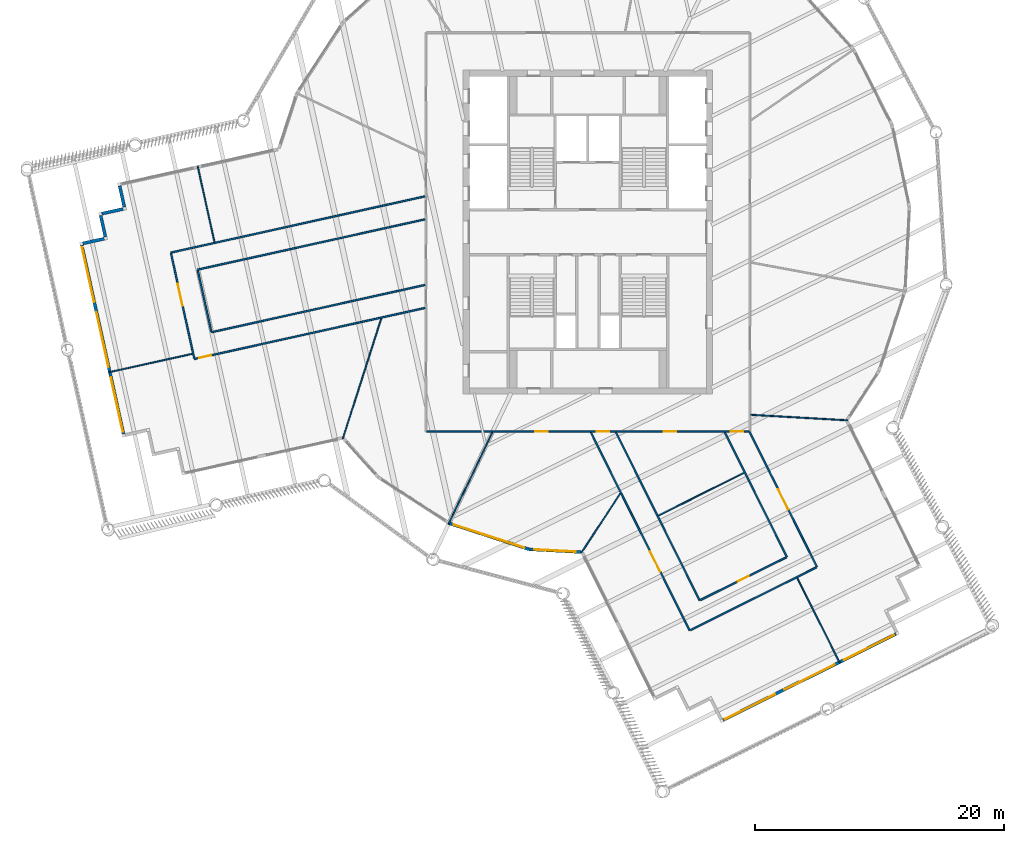
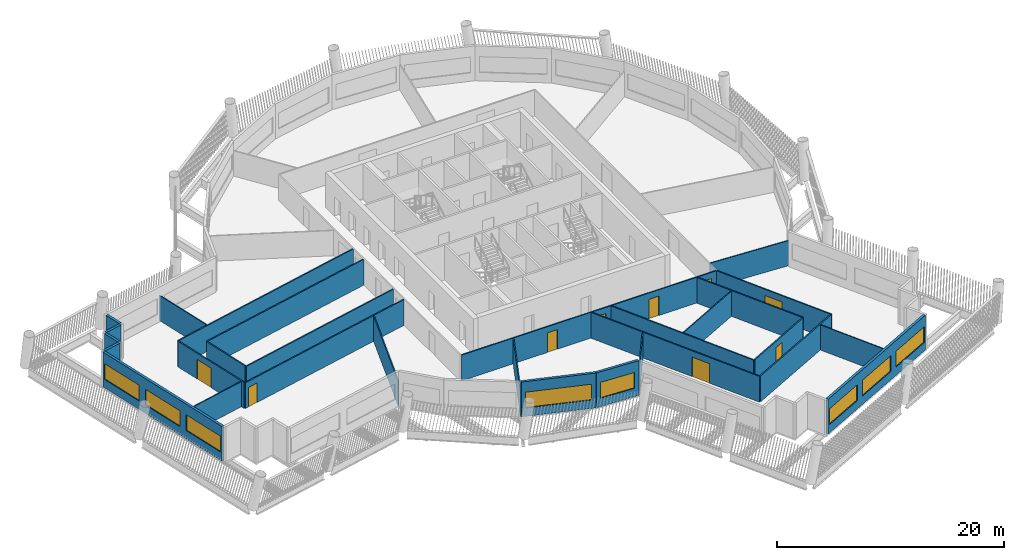
# One storey, part 3 of 14: 29 walls, 9 doors, 8 windows, 17 openings.
"""IFC4 building model written with IfcOpenShell, lengths in metres."""

from ifc_helpers import new_model, si_unit, direction, frame, frame_2d, origin, place, context, subcontext, project, spatial, rectangle, extrude, material, layer, layer_set, type_object, element, fill, save


model = new_model("IFC4")

# Units and contexts
model_context = context("Model", 3, precision=1e-05, world=origin(), true_north=direction((0.0, 1.0)))
body_context = subcontext(model_context, "Body", "Model", "MODEL_VIEW")
ifc_project = project(units=[si_unit("LENGTHUNIT", "METRE"), si_unit("AREAUNIT", "SQUARE_METRE"), si_unit("VOLUMEUNIT", "CUBIC_METRE"), si_unit("PLANEANGLEUNIT", "RADIAN"), si_unit("MASSUNIT", "GRAM", prefix="KILO")], contexts=[model_context])

# Site, building, storey
site_placement = place(None, origin())
site = spatial("IfcSite", under=ifc_project, at=site_placement, CompositionType="ELEMENT")
building_placement = place(site_placement, origin())
building = spatial("IfcBuilding", under=site, at=building_placement, Name="Tarsis Ring Headquarters", CompositionType="ELEMENT")
storey_placement = place(building_placement, frame((0.0, 0.0, 335.300048828125)))
storey = spatial("IfcBuildingStorey", under=building, at=storey_placement, Name="L79", CompositionType="ELEMENT", Elevation=335.300048828125)

# Walls
ifc_material_1 = material(Name="Gypsum board on steel studs", Category="steel")
ifc_layer_1 = layer(ifc_material_1, 0.10009765625)
ifc_layer_set_1 = layer_set([ifc_layer_1], Name="FL partition 100 unrated")
wall_type_1 = type_object("IfcWallType", Name="FL partition 100 unrated", PredefinedType="PARTITIONING", material=ifc_layer_set_1)
wall_1_placement = place(storey_placement, frame((-19.6640625, -16.56591796875, 0.0), z_axis=(0.0, 0.0, 1.0), x_axis=(0.305197068418, 0.952289215222, 0.0)))
element("IfcWall", 1, at=wall_1_placement, inside=storey, type_object=wall_type_1, Name="Partition PW3", PredefinedType="PARTITIONING", context=body_context, shape_type="SweptSolid", body=[
    extrude(rectangle(XDim=10.112060546875, YDim=0.10009765625, at=frame_2d((5.05615234375, 0.0))), origin(), (0.0, 0.0, 1.0), 2.699951171875),
])
wall_2_placement = place(storey_placement, frame((-11.178955078125, -23.416259765625, 0.0), z_axis=(0.0, 0.0, 1.0), x_axis=(0.430831207665, 0.902432529612, 0.0)))
element("IfcWall", 2, at=wall_2_placement, inside=storey, type_object=wall_type_1, Name="Partition PW3", PredefinedType="PARTITIONING", context=body_context, shape_type="SweptSolid", body=[
    extrude(rectangle(XDim=8.137939453125, YDim=0.10009765625, at=frame_2d((4.06884765625, 0.0))), origin(), (0.0, 0.0, 1.0), 2.699951171875),
])
wall_3_placement = place(storey_placement, frame((5.650390625, -22.73583984375, 0.0), z_axis=(0.0, 0.0, 1.0), x_axis=(0.895081084195, 0.445903411869, 0.0)))
element("IfcWall", 3, at=wall_3_placement, inside=storey, type_object=wall_type_1, Name="Partition PW3", PredefinedType="PARTITIONING", context=body_context, shape_type="SweptSolid", body=[
    extrude(rectangle(XDim=7.679931640625, YDim=0.10009765625, at=frame_2d((3.83984375, 0.0))), origin(), (0.0, 0.0, 1.0), 2.699951171875),
])
wall_4_placement = place(storey_placement, frame((13.070068359375, -14.6494140625, 0.0), z_axis=(0.0, 0.0, 1.0), x_axis=(0.998371181297, -0.057052470195, 0.0)))
element("IfcWall", 4, at=wall_4_placement, inside=storey, type_object=wall_type_1, Name="Partition PW3", PredefinedType="PARTITIONING", context=body_context, shape_type="SweptSolid", body=[
    extrude(rectangle(XDim=7.783935546875, YDim=0.10009765625, at=frame_2d((3.89208984375, 0.0))), origin(), (0.0, 0.0, 1.0), 2.699951171875),
])
wall_5_placement = place(storey_placement, frame((16.79638671875, -27.729736328125, 0.0), z_axis=(0.0, 0.0, 1.0), x_axis=(0.445870973422, -0.895097243354, 0.0)))
element("IfcWall", 5, at=wall_5_placement, inside=storey, type_object=wall_type_1, Name="Partition PW3", PredefinedType="PARTITIONING", context=body_context, shape_type="SweptSolid", body=[
    extrude(rectangle(XDim=7.64013671875, YDim=0.10009765625, at=frame_2d((3.820068359375, 0.0))), origin(), (0.0, 0.0, 1.0), 2.699951171875),
])
wall_6_placement = place(storey_placement, frame((-38.42919921875, -11.239990234375, 0.0), z_axis=(0.0, 0.0, 1.0), x_axis=(0.976372599725, 0.216093837271, 0.0)))
element("IfcWall", 6, at=wall_6_placement, inside=storey, type_object=wall_type_1, Name="Partition PW3", PredefinedType="PARTITIONING", context=body_context, shape_type="SweptSolid", body=[
    extrude(rectangle(XDim=6.860107421875, YDim=0.10009765625, at=frame_2d((3.43017578125, 0.0))), origin(), (0.0, 0.0, 1.0), 2.699951171875),
])
wall_7_placement = place(storey_placement, frame((-31.30712890625, 5.31005859375, 0.0), z_axis=(0.0, 0.0, 1.0), x_axis=(0.216094895996, -0.976372365404, 0.0)))
element("IfcWall", 7, at=wall_7_placement, inside=storey, type_object=wall_type_1, Name="Partition PW3", PredefinedType="PARTITIONING", context=body_context, shape_type="SweptSolid", body=[
    extrude(rectangle(XDim=6.25, YDim=0.10009765625, at=frame_2d((3.125, 0.0))), origin(), (0.0, 0.0, 1.0), 2.699951171875),
])
wall_8_placement = place(storey_placement, frame((-0.51708984375, -25.70654296875, 0.0), z_axis=(0.0, 0.0, 1.0), x_axis=(0.548590563667, 0.836091139443, 0.0)))
element("IfcWall", 8, at=wall_8_placement, inside=storey, type_object=wall_type_1, Name="Partition PW3", PredefinedType="PARTITIONING", context=body_context, shape_type="SweptSolid", body=[
    extrude(rectangle(XDim=5.66650390625, YDim=0.10009765625, at=frame_2d((2.833251953125, 0.0))), origin(), (0.0, 0.0, 1.0), 2.699951171875),
])

# Wall, openings, doors
ifc_layer_2 = layer(ifc_material_1, 0.125)
ifc_layer_set_2 = layer_set([ifc_layer_2], Name="FL partition 125 EI 60 H2770")
wall_type_2 = type_object("IfcWallType", Name="FL partition 125 EI 60 H2770", PredefinedType="PARTITIONING", material=ifc_layer_set_2)
wall_9_placement = place(storey_placement, frame((-12.93994140625, -16.0, 0.0), z_axis=(0.0, 0.0, 1.0), x_axis=(1.0, 0.0, 0.0)))
wall_9 = element("IfcWall", 9, at=wall_9_placement, inside=storey, type_object=wall_type_2, Name="Partition PW1", PredefinedType="PARTITIONING", context=body_context, shape_type="SweptSolid", body=[
    extrude(rectangle(XDim=25.8740234375, YDim=0.125, at=frame_2d((12.93701171875, 0.0))), origin(), (0.0, 0.0, 1.0), 2.77001953125),
])
opening_1_placement = place(wall_9_placement, frame((8.7236328125, 0.0, 0.0)))
opening_1 = element("IfcOpeningElement", 10, at=opening_1_placement, cuts=wall_9, Name="Opening D79.11", PredefinedType="OPENING", context=body_context, shape_type="SweptSolid", body=[
    extrude(rectangle(XDim=1.0, YDim=2.10009765625, at=frame_2d((0.5, 1.050048828125))), frame((0.0, 0.072509765625, 0.0), z_axis=(0.0, -1.0, 0.0), x_axis=(1.0, 0.0, 0.0)), (0.0, 0.0, 1.0), 0.14501953125),
])
opening_2_placement = place(wall_9_placement, frame((19.02490234375, 0.0, 0.0)))
opening_2 = element("IfcOpeningElement", 11, at=opening_2_placement, cuts=wall_9, Name="Opening D79.14", PredefinedType="OPENING", context=body_context, shape_type="SweptSolid", body=[
    extrude(rectangle(XDim=1.0, YDim=2.10009765625, at=frame_2d((0.5, 1.050048828125))), frame((0.0, 0.072509765625, 0.0), z_axis=(0.0, -1.0, 0.0), x_axis=(1.0, 0.0, 0.0)), (0.0, 0.0, 1.0), 0.14501953125),
])
opening_3_placement = place(wall_9_placement, frame((13.651123046875, 0.0, 0.0)))
opening_3 = element("IfcOpeningElement", 12, at=opening_3_placement, cuts=wall_9, Name="Opening D79.16", PredefinedType="OPENING", context=body_context, shape_type="SweptSolid", body=[
    extrude(rectangle(XDim=1.0, YDim=2.10009765625, at=frame_2d((0.5, 1.050048828125))), frame((0.0, 0.072509765625, 0.0), z_axis=(0.0, -1.0, 0.0), x_axis=(1.0, 0.0, 0.0)), (0.0, 0.0, 1.0), 0.14501953125),
])
opening_4_placement = place(wall_9_placement, frame((24.398681640625, 0.0, 0.0)))
opening_4 = element("IfcOpeningElement", 13, at=opening_4_placement, cuts=wall_9, Name="Opening D79.17", PredefinedType="OPENING", context=body_context, shape_type="SweptSolid", body=[
    extrude(rectangle(XDim=1.0, YDim=2.10009765625, at=frame_2d((0.5, 1.050048828125))), frame((0.0, 0.072509765625, 0.0), z_axis=(0.0, -1.0, 0.0), x_axis=(1.0, 0.0, 0.0)), (0.0, 0.0, 1.0), 0.14501953125),
])
ifc_material_2 = material(Name="Fire-rated timber door leaf in steel frame", Category="steel")
door_type_1 = type_object("IfcDoorType", Name="FL door FD60-1000", OperationType="NOTDEFINED", PredefinedType="DOOR", material=ifc_material_2)
door_1_placement = place(opening_1_placement, origin())
door_1 = element("IfcDoor", 14, at=door_1_placement, inside=storey, type_object=door_type_1, Name="Door D79.11", OperationType="SINGLE_SWING_RIGHT", OverallHeight=2.10009765625, OverallWidth=1.0, PredefinedType="DOOR", context=body_context, shape_type="SweptSolid", body=[
    extrude(rectangle(XDim=1.0, YDim=2.10009765625, at=frame_2d((0.5, 1.050048828125))), frame((0.0, 0.02490234375, 0.0), z_axis=(0.0, -1.0, 0.0), x_axis=(1.0, 0.0, 0.0)), (0.0, 0.0, 1.0), 0.050048828125),
])
fill(opening_1, door_1)
door_2_placement = place(opening_2_placement, origin())
door_2 = element("IfcDoor", 15, at=door_2_placement, inside=storey, type_object=door_type_1, Name="Door D79.14", OperationType="SINGLE_SWING_LEFT", OverallHeight=2.10009765625, OverallWidth=1.0, PredefinedType="DOOR", context=body_context, shape_type="SweptSolid", body=[
    extrude(rectangle(XDim=1.0, YDim=2.10009765625, at=frame_2d((0.5, 1.050048828125))), frame((0.0, 0.02490234375, 0.0), z_axis=(0.0, -1.0, 0.0), x_axis=(1.0, 0.0, 0.0)), (0.0, 0.0, 1.0), 0.050048828125),
])
fill(opening_2, door_2)
door_3_placement = place(opening_3_placement, origin())
door_3 = element("IfcDoor", 16, at=door_3_placement, inside=storey, type_object=door_type_1, Name="Door D79.16", OperationType="SINGLE_SWING_LEFT", OverallHeight=2.10009765625, OverallWidth=1.0, PredefinedType="DOOR", context=body_context, shape_type="SweptSolid", body=[
    extrude(rectangle(XDim=1.0, YDim=2.10009765625, at=frame_2d((0.5, 1.050048828125))), frame((0.0, 0.02490234375, 0.0), z_axis=(0.0, -1.0, 0.0), x_axis=(1.0, 0.0, 0.0)), (0.0, 0.0, 1.0), 0.050048828125),
])
fill(opening_3, door_3)
door_4_placement = place(opening_4_placement, origin())
door_4 = element("IfcDoor", 17, at=door_4_placement, inside=storey, type_object=door_type_1, Name="Door D79.17", OperationType="SINGLE_SWING_RIGHT", OverallHeight=2.10009765625, OverallWidth=1.0, PredefinedType="DOOR", context=body_context, shape_type="SweptSolid", body=[
    extrude(rectangle(XDim=1.0, YDim=2.10009765625, at=frame_2d((0.5, 1.050048828125))), frame((0.0, 0.02490234375, 0.0), z_axis=(0.0, -1.0, 0.0), x_axis=(1.0, 0.0, 0.0)), (0.0, 0.0, 1.0), 0.050048828125),
])
fill(opening_4, door_4)

# Wall
wall_10_placement = place(storey_placement, frame((-33.456298828125, -1.638671875, 0.0), z_axis=(0.0, 0.0, 1.0), x_axis=(0.976371299798, 0.21609971062, 0.0)))
element("IfcWall", 18, at=wall_10_placement, inside=storey, type_object=wall_type_2, Name="Partition PW1", PredefinedType="PARTITIONING", context=body_context, shape_type="SweptSolid", body=[
    extrude(rectangle(XDim=20.88134765625, YDim=0.125, at=frame_2d((10.440673828125, 0.0))), origin(), (0.0, 0.0, 1.0), 2.77001953125),
])

# Wall, opening, door
wall_11_placement = place(storey_placement, frame((-31.567626953125, -10.172119140625, 0.0), z_axis=(0.0, 0.0, 1.0), x_axis=(0.976370743732, 0.216102222997, 0.0)))
wall_11 = element("IfcWall", 19, at=wall_11_placement, inside=storey, type_object=wall_type_2, Name="Partition PW1", PredefinedType="PARTITIONING", context=body_context, shape_type="SweptSolid", body=[
    extrude(rectangle(XDim=18.947021484375, YDim=0.125, at=frame_2d((9.4736328125, 0.0))), origin(), (0.0, 0.0, 1.0), 2.77001953125),
])
opening_5_placement = place(wall_11_placement, frame((0.39990234375, 0.0, 0.0)))
opening_5 = element("IfcOpeningElement", 20, at=opening_5_placement, cuts=wall_11, Name="Opening D79.01", PredefinedType="OPENING", context=body_context, shape_type="SweptSolid", body=[
    extrude(rectangle(XDim=1.0, YDim=2.10009765625, at=frame_2d((0.5, 1.050048828125))), frame((0.0, 0.072509765625, 0.0), z_axis=(0.0, -1.0, 0.0), x_axis=(1.0, 0.0, 0.0)), (0.0, 0.0, 1.0), 0.14501953125),
])
door_5_placement = place(opening_5_placement, origin())
door_5 = element("IfcDoor", 21, at=door_5_placement, inside=storey, type_object=door_type_1, Name="Door D79.01", OperationType="SINGLE_SWING_RIGHT", OverallHeight=2.10009765625, OverallWidth=1.0, PredefinedType="DOOR", context=body_context, shape_type="SweptSolid", body=[
    extrude(rectangle(XDim=1.0, YDim=2.10009765625, at=frame_2d((0.5, 1.050048828125))), frame((0.0, 0.02490234375, 0.0), z_axis=(0.0, -1.0, 0.0), x_axis=(1.0, 0.0, 0.0)), (0.0, 0.0, 1.0), 0.050048828125),
])
fill(opening_5, door_5)

# Wall
wall_12_placement = place(storey_placement, frame((-31.31005859375, -3.007080078125, 0.0), z_axis=(0.0, 0.0, 1.0), x_axis=(0.976372107399, 0.216096061726, 0.0)))
element("IfcWall", 22, at=wall_12_placement, inside=storey, type_object=wall_type_2, Name="Partition PW1", PredefinedType="PARTITIONING", context=body_context, shape_type="SweptSolid", body=[
    extrude(rectangle(XDim=18.68310546875, YDim=0.125, at=frame_2d((9.341552734375, 0.0))), origin(), (0.0, 0.0, 1.0), 2.77001953125),
])

# Wall, opening, door
wall_13_placement = place(storey_placement, frame((0.245849609375, -16.08056640625, 0.0), z_axis=(0.0, 0.0, 1.0), x_axis=(0.445891702143, -0.895086917545, 0.0)))
wall_13 = element("IfcWall", 23, at=wall_13_placement, inside=storey, type_object=wall_type_2, Name="Partition PW1", PredefinedType="PARTITIONING", context=body_context, shape_type="SweptSolid", body=[
    extrude(rectangle(XDim=17.73681640625, YDim=0.125, at=frame_2d((8.868408203125, 0.0))), origin(), (0.0, 0.0, 1.0), 2.77001953125),
])
opening_6_placement = place(wall_13_placement, frame((10.658203125, 0.0, 0.0)))
opening_6 = element("IfcOpeningElement", 24, at=opening_6_placement, cuts=wall_13, Name="Opening D79.10", PredefinedType="OPENING", context=body_context, shape_type="SweptSolid", body=[
    extrude(rectangle(XDim=1.800048828125, YDim=2.10009765625, at=frame_2d((0.89990234375, 1.050048828125))), frame((0.0, 0.072509765625, 0.0), z_axis=(0.0, -1.0, 0.0), x_axis=(1.0, 0.0, 0.0)), (0.0, 0.0, 1.0), 0.14501953125),
])
door_type_2 = type_object("IfcDoorType", Name="FL door FD60-1800", OperationType="DOUBLE_DOOR_SINGLE_SWING", PredefinedType="DOOR", material=ifc_material_2)
door_6_placement = place(opening_6_placement, origin())
door_6 = element("IfcDoor", 25, at=door_6_placement, inside=storey, type_object=door_type_2, Name="Door D79.10", OperationType="DOUBLE_DOOR_SINGLE_SWING", OverallHeight=2.10009765625, OverallWidth=1.800048828125, PredefinedType="DOOR", context=body_context, shape_type="SweptSolid", body=[
    extrude(rectangle(XDim=1.800048828125, YDim=2.10009765625, at=frame_2d((0.89990234375, 1.050048828125))), frame((0.0, 0.02490234375, 0.0), z_axis=(0.0, -1.0, 0.0), x_axis=(1.0, 0.0, 0.0)), (0.0, 0.0, 1.0), 0.050048828125),
])
fill(opening_6, door_6)

# Walls
wall_14_placement = place(storey_placement, frame((-30.19921875, -8.025634765625, 0.0), z_axis=(0.0, 0.0, 1.0), x_axis=(0.976372016082, 0.216096474315, 0.0)))
element("IfcWall", 26, at=wall_14_placement, inside=storey, type_object=wall_type_2, Name="Partition PW1", PredefinedType="PARTITIONING", context=body_context, shape_type="SweptSolid", body=[
    extrude(rectangle(XDim=17.54541015625, YDim=0.125, at=frame_2d((8.772705078125, 0.0))), origin(), (0.0, 0.0, 1.0), 2.77001953125),
])
wall_15_placement = place(storey_placement, frame((2.2568359375, -16.08056640625, 0.0), z_axis=(0.0, 0.0, 1.0), x_axis=(0.445875533768, -0.895094971714, 0.0)))
element("IfcWall", 27, at=wall_15_placement, inside=storey, type_object=wall_type_2, Name="Partition PW1", PredefinedType="PARTITIONING", context=body_context, shape_type="SweptSolid", body=[
    extrude(rectangle(XDim=15.040283203125, YDim=0.125, at=frame_2d((7.52001953125, 0.0))), origin(), (0.0, 0.0, 1.0), 2.77001953125),
])

# Wall, opening, door
wall_16_placement = place(storey_placement, frame((12.9775390625, -16.02685546875, 0.0), z_axis=(0.0, 0.0, 1.0), x_axis=(0.44589844394, -0.895083559056, 0.0)))
wall_16 = element("IfcWall", 28, at=wall_16_placement, inside=storey, type_object=wall_type_2, Name="Partition PW1", PredefinedType="PARTITIONING", context=body_context, shape_type="SweptSolid", body=[
    extrude(rectangle(XDim=12.10791015625, YDim=0.125, at=frame_2d((6.053955078125, 0.0))), origin(), (0.0, 0.0, 1.0), 2.77001953125),
])
opening_7_placement = place(wall_16_placement, frame((5.138916015625, 0.0, 0.0)))
opening_7 = element("IfcOpeningElement", 29, at=opening_7_placement, cuts=wall_16, Name="Opening D79.09", PredefinedType="OPENING", context=body_context, shape_type="SweptSolid", body=[
    extrude(rectangle(XDim=1.800048828125, YDim=2.10009765625, at=frame_2d((0.89990234375, 1.050048828125))), frame((0.0, 0.072509765625, 0.0), z_axis=(0.0, -1.0, 0.0), x_axis=(1.0, 0.0, 0.0)), (0.0, 0.0, 1.0), 0.14501953125),
])
door_7_placement = place(opening_7_placement, origin())
door_7 = element("IfcDoor", 30, at=door_7_placement, inside=storey, type_object=door_type_2, Name="Door D79.09", OperationType="DOUBLE_DOOR_SINGLE_SWING", OverallHeight=2.10009765625, OverallWidth=1.800048828125, PredefinedType="DOOR", context=body_context, shape_type="SweptSolid", body=[
    extrude(rectangle(XDim=1.800048828125, YDim=2.10009765625, at=frame_2d((0.89990234375, 1.050048828125))), frame((0.0, 0.02490234375, 0.0), z_axis=(0.0, -1.0, 0.0), x_axis=(1.0, 0.0, 0.0)), (0.0, 0.0, 1.0), 0.050048828125),
])
fill(opening_7, door_7)

# Walls
wall_17_placement = place(storey_placement, frame((8.208251953125, -31.929931640625, 0.0), z_axis=(0.0, 0.0, 1.0), x_axis=(0.895087336837, 0.445890860451, 0.0)))
element("IfcWall", 31, at=wall_17_placement, inside=storey, type_object=wall_type_2, Name="Partition PW1", PredefinedType="PARTITIONING", context=body_context, shape_type="SweptSolid", body=[
    extrude(rectangle(XDim=11.300048828125, YDim=0.125, at=frame_2d((5.64990234375, 0.0))), origin(), (0.0, 0.0, 1.0), 2.77001953125),
])
wall_18_placement = place(storey_placement, frame((10.993408203125, -16.08056640625, 0.0), z_axis=(0.0, 0.0, 1.0), x_axis=(0.445889938595, -0.895087796062, 0.0)))
element("IfcWall", 32, at=wall_18_placement, inside=storey, type_object=wall_type_2, Name="Partition PW1", PredefinedType="PARTITIONING", context=body_context, shape_type="SweptSolid", body=[
    extrude(rectangle(XDim=11.14453125, YDim=0.125, at=frame_2d((5.572265625, 0.0))), origin(), (0.0, 0.0, 1.0), 2.77001953125),
])

# Wall, opening, door
wall_19_placement = place(storey_placement, frame((-33.443603515625, -1.697265625, 0.0), z_axis=(0.0, 0.0, 1.0), x_axis=(0.216102688718, -0.976370640653, 0.0)))
wall_19 = element("IfcWall", 33, at=wall_19_placement, inside=storey, type_object=wall_type_2, Name="Partition PW1", PredefinedType="PARTITIONING", context=body_context, shape_type="SweptSolid", body=[
    extrude(rectangle(XDim=8.619873046875, YDim=0.125, at=frame_2d((4.31005859375, 0.0))), origin(), (0.0, 0.0, 1.0), 2.77001953125),
])
opening_8_placement = place(wall_19_placement, frame((2.510009765625, 0.0, 0.0)))
opening_8 = element("IfcOpeningElement", 34, at=opening_8_placement, cuts=wall_19, Name="Opening D79.02", PredefinedType="OPENING", context=body_context, shape_type="SweptSolid", body=[
    extrude(rectangle(XDim=1.800048828125, YDim=2.10009765625, at=frame_2d((0.89990234375, 1.050048828125))), frame((0.0, 0.072509765625, 0.0), z_axis=(0.0, -1.0, 0.0), x_axis=(1.0, 0.0, 0.0)), (0.0, 0.0, 1.0), 0.14501953125),
])
door_8_placement = place(opening_8_placement, origin())
door_8 = element("IfcDoor", 35, at=door_8_placement, inside=storey, type_object=door_type_2, Name="Door D79.02", OperationType="DOUBLE_DOOR_SINGLE_SWING", OverallHeight=2.10009765625, OverallWidth=1.800048828125, PredefinedType="DOOR", context=body_context, shape_type="SweptSolid", body=[
    extrude(rectangle(XDim=1.800048828125, YDim=2.10009765625, at=frame_2d((0.89990234375, 1.050048828125))), frame((0.0, 0.02490234375, 0.0), z_axis=(0.0, -1.0, 0.0), x_axis=(1.0, 0.0, 0.0)), (0.0, 0.0, 1.0), 0.050048828125),
])
fill(opening_8, door_8)

wall_20_placement = place(storey_placement, frame((9.0166015625, -29.51611328125, 0.0), z_axis=(0.0, 0.0, 1.0), x_axis=(0.895092025651, 0.445881447938, 0.0)))
wall_20 = element("IfcWall", 36, at=wall_20_placement, inside=storey, type_object=wall_type_2, Name="Partition PW1", PredefinedType="PARTITIONING", context=body_context, shape_type="SweptSolid", body=[
    extrude(rectangle(XDim=7.7001953125, YDim=0.125, at=frame_2d((3.85009765625, 0.0))), origin(), (0.0, 0.0, 1.0), 2.77001953125),
])
opening_9_placement = place(wall_20_placement, frame((3.35009765625, 0.0, 0.0)))
opening_9 = element("IfcOpeningElement", 37, at=opening_9_placement, cuts=wall_20, Name="Opening D79.15", PredefinedType="OPENING", context=body_context, shape_type="SweptSolid", body=[
    extrude(rectangle(XDim=1.0, YDim=2.10009765625, at=frame_2d((0.5, 1.050048828125))), frame((0.0, 0.072509765625, 0.0), z_axis=(0.0, -1.0, 0.0), x_axis=(1.0, 0.0, 0.0)), (0.0, 0.0, 1.0), 0.14501953125),
])
door_9_placement = place(opening_9_placement, origin())
door_9 = element("IfcDoor", 38, at=door_9_placement, inside=storey, type_object=door_type_1, Name="Door D79.15", OperationType="SINGLE_SWING_RIGHT", OverallHeight=2.10009765625, OverallWidth=1.0, PredefinedType="DOOR", context=body_context, shape_type="SweptSolid", body=[
    extrude(rectangle(XDim=1.0, YDim=2.10009765625, at=frame_2d((0.5, 1.050048828125))), frame((0.0, 0.02490234375, 0.0), z_axis=(0.0, -1.0, 0.0), x_axis=(1.0, 0.0, 0.0)), (0.0, 0.0, 1.0), 0.050048828125),
])
fill(opening_9, door_9)

# Wall
wall_21_placement = place(storey_placement, frame((-31.297119140625, -3.065673828125, 0.0), z_axis=(0.0, 0.0, 1.0), x_axis=(0.216127074123, -0.976365243047, 0.0)))
element("IfcWall", 39, at=wall_21_placement, inside=storey, type_object=wall_type_2, Name="Partition PW1", PredefinedType="PARTITIONING", context=body_context, shape_type="SweptSolid", body=[
    extrude(rectangle(XDim=5.02001953125, YDim=0.125, at=frame_2d((2.510009765625, 0.0))), origin(), (0.0, 0.0, 1.0), 2.77001953125),
])

# Wall, opening, window
ifc_material_3 = material(Name="Terracotta clad insulated panel wall", Category="masonry")
ifc_layer_3 = layer(ifc_material_3, 0.25)
ifc_layer_set_3 = layer_set([ifc_layer_3], Name="Facade wall terracotta panel 250")
wall_type_3 = type_object("IfcWallType", Name="Facade wall terracotta panel 250", PredefinedType="STANDARD", material=ifc_layer_set_3)
wall_22_placement = place(storey_placement, frame((-11.131591796875, -23.354736328125, 0.0), z_axis=(0.0, 0.0, 1.0), x_axis=(0.950957431848, -0.309321778756, 0.0)))
wall_22 = element("IfcWall", 40, at=wall_22_placement, inside=storey, type_object=wall_type_3, Name="External wall L79-04", PredefinedType="STANDARD", context=body_context, shape_type="SweptSolid", body=[
    extrude(rectangle(XDim=6.721435546875, YDim=0.25, at=frame_2d((3.36083984375, 0.0))), origin(), (0.0, 0.0, 1.0), 3.739990234375),
])
opening_10_placement = place(wall_22_placement, frame((0.3857421875, 0.0, 0.89990234375)))
opening_10 = element("IfcOpeningElement", 41, at=opening_10_placement, cuts=wall_22, Name="Opening WN07", PredefinedType="OPENING", context=body_context, shape_type="SweptSolid", body=[
    extrude(rectangle(XDim=5.949951171875, YDim=1.699951171875, at=frame_2d((2.97509765625, 0.85009765625))), frame((0.0, 0.135009765625, 0.0), z_axis=(0.0, -1.0, 0.0), x_axis=(1.0, 0.0, 0.0)), (0.0, 0.0, 1.0), 0.27001953125),
])
ifc_material_4 = material(Name="Aluminium framed double glazing", Category="aluminium")
window_type_1 = type_object("IfcWindowType", Name="Facade window 5950 x 1700", PartitioningType="SINGLE_PANEL", PredefinedType="WINDOW", material=ifc_material_4)
window_1_placement = place(opening_10_placement, origin())
window_1 = element("IfcWindow", 42, at=window_1_placement, inside=storey, type_object=window_type_1, Name="Window L79-04.1", OverallHeight=1.699951171875, OverallWidth=5.949951171875, PartitioningType="SINGLE_PANEL", PredefinedType="WINDOW", context=body_context, shape_type="SweptSolid", body=[
    extrude(rectangle(XDim=5.949951171875, YDim=1.699951171875, at=frame_2d((2.97509765625, 0.85009765625))), frame((0.0, 0.030029296875, 0.0), z_axis=(0.0, -1.0, 0.0), x_axis=(1.0, 0.0, 0.0)), (0.0, 0.0, 1.0), 0.06005859375),
])
fill(opening_10, window_1)

wall_23_placement = place(storey_placement, frame((-4.70751953125, -25.43994140625, 0.0), z_axis=(0.0, 0.0, 1.0), x_axis=(0.998611658004, -0.052675957497, 0.0)))
wall_23 = element("IfcWall", 43, at=wall_23_placement, inside=storey, type_object=wall_type_3, Name="External wall L79-05", PredefinedType="STANDARD", context=body_context, shape_type="SweptSolid", body=[
    extrude(rectangle(XDim=4.157470703125, YDim=0.25, at=frame_2d((2.07861328125, 0.0))), origin(), (0.0, 0.0, 1.0), 3.739990234375),
])
opening_11_placement = place(wall_23_placement, frame((0.38720703125, 0.0, 0.89990234375)))
opening_11 = element("IfcOpeningElement", 44, at=opening_11_placement, cuts=wall_23, Name="Opening WN01", PredefinedType="OPENING", context=body_context, shape_type="SweptSolid", body=[
    extrude(rectangle(XDim=3.35009765625, YDim=1.699951171875, at=frame_2d((1.675048828125, 0.85009765625))), frame((0.0, 0.135009765625, 0.0), z_axis=(0.0, -1.0, 0.0), x_axis=(1.0, 0.0, 0.0)), (0.0, 0.0, 1.0), 0.27001953125),
])
window_type_2 = type_object("IfcWindowType", Name="Facade window 3350 x 1700", PartitioningType="SINGLE_PANEL", PredefinedType="WINDOW", material=ifc_material_4)
window_2_placement = place(opening_11_placement, origin())
window_2 = element("IfcWindow", 45, at=window_2_placement, inside=storey, type_object=window_type_2, Name="Window L79-05.1", OverallHeight=1.699951171875, OverallWidth=3.35009765625, PartitioningType="SINGLE_PANEL", PredefinedType="WINDOW", context=body_context, shape_type="SweptSolid", body=[
    extrude(rectangle(XDim=3.35009765625, YDim=1.699951171875, at=frame_2d((1.675048828125, 0.85009765625))), frame((0.0, 0.030029296875, 0.0), z_axis=(0.0, -1.0, 0.0), x_axis=(1.0, 0.0, 0.0)), (0.0, 0.0, 1.0), 0.06005859375),
])
fill(opening_11, window_2)

# Wall, openings, windows
wall_24_placement = place(storey_placement, frame((10.8427734375, -39.147216796875, 0.0), z_axis=(0.0, 0.0, 1.0), x_axis=(0.895090901803, 0.445883704018, 0.0)))
wall_24 = element("IfcWall", 46, at=wall_24_placement, inside=storey, type_object=wall_type_3, Name="External wall L79-11", PredefinedType="STANDARD", context=body_context, shape_type="SweptSolid", body=[
    extrude(rectangle(XDim=15.499755859375, YDim=0.25, at=frame_2d((7.75, 0.0))), origin(), (0.0, 0.0, 1.0), 3.739990234375),
])
opening_12_placement = place(wall_24_placement, frame((0.166748046875, 0.0, 0.89990234375)))
opening_12 = element("IfcOpeningElement", 47, at=opening_12_placement, cuts=wall_24, Name="Opening WN04", PredefinedType="OPENING", context=body_context, shape_type="SweptSolid", body=[
    extrude(rectangle(XDim=4.5, YDim=1.699951171875, at=frame_2d((2.25, 0.85009765625))), frame((0.0, 0.135009765625, 0.0), z_axis=(0.0, -1.0, 0.0), x_axis=(1.0, 0.0, 0.0)), (0.0, 0.0, 1.0), 0.27001953125),
])
opening_13_placement = place(wall_24_placement, frame((5.5, 0.0, 0.89990234375)))
opening_13 = element("IfcOpeningElement", 48, at=opening_13_placement, cuts=wall_24, Name="Opening WN04", PredefinedType="OPENING", context=body_context, shape_type="SweptSolid", body=[
    extrude(rectangle(XDim=4.5, YDim=1.699951171875, at=frame_2d((2.25, 0.85009765625))), frame((0.0, 0.135009765625, 0.0), z_axis=(0.0, -1.0, 0.0), x_axis=(1.0, 0.0, 0.0)), (0.0, 0.0, 1.0), 0.27001953125),
])
opening_14_placement = place(wall_24_placement, frame((10.833251953125, 0.0, 0.89990234375)))
opening_14 = element("IfcOpeningElement", 49, at=opening_14_placement, cuts=wall_24, Name="Opening WN04", PredefinedType="OPENING", context=body_context, shape_type="SweptSolid", body=[
    extrude(rectangle(XDim=4.5, YDim=1.699951171875, at=frame_2d((2.25, 0.85009765625))), frame((0.0, 0.135009765625, 0.0), z_axis=(0.0, -1.0, 0.0), x_axis=(1.0, 0.0, 0.0)), (0.0, 0.0, 1.0), 0.27001953125),
])
window_type_3 = type_object("IfcWindowType", Name="Facade window 4500 x 1700", PartitioningType="SINGLE_PANEL", PredefinedType="WINDOW", material=ifc_material_4)
window_3_placement = place(opening_12_placement, origin())
window_3 = element("IfcWindow", 50, at=window_3_placement, inside=storey, type_object=window_type_3, Name="Window L79-11.1", OverallHeight=1.699951171875, OverallWidth=4.5, PartitioningType="SINGLE_PANEL", PredefinedType="WINDOW", context=body_context, shape_type="SweptSolid", body=[
    extrude(rectangle(XDim=4.5, YDim=1.699951171875, at=frame_2d((2.25, 0.85009765625))), frame((0.0, 0.030029296875, 0.0), z_axis=(0.0, -1.0, 0.0), x_axis=(1.0, 0.0, 0.0)), (0.0, 0.0, 1.0), 0.06005859375),
])
fill(opening_12, window_3)
window_4_placement = place(opening_13_placement, origin())
window_4 = element("IfcWindow", 51, at=window_4_placement, inside=storey, type_object=window_type_3, Name="Window L79-11.2", OverallHeight=1.699951171875, OverallWidth=4.5, PartitioningType="SINGLE_PANEL", PredefinedType="WINDOW", context=body_context, shape_type="SweptSolid", body=[
    extrude(rectangle(XDim=4.5, YDim=1.699951171875, at=frame_2d((2.25, 0.85009765625))), frame((0.0, 0.030029296875, 0.0), z_axis=(0.0, -1.0, 0.0), x_axis=(1.0, 0.0, 0.0)), (0.0, 0.0, 1.0), 0.06005859375),
])
fill(opening_13, window_4)
window_5_placement = place(opening_14_placement, origin())
window_5 = element("IfcWindow", 52, at=window_5_placement, inside=storey, type_object=window_type_3, Name="Window L79-11.3", OverallHeight=1.699951171875, OverallWidth=4.5, PartitioningType="SINGLE_PANEL", PredefinedType="WINDOW", context=body_context, shape_type="SweptSolid", body=[
    extrude(rectangle(XDim=4.5, YDim=1.699951171875, at=frame_2d((2.25, 0.85009765625))), frame((0.0, 0.030029296875, 0.0), z_axis=(0.0, -1.0, 0.0), x_axis=(1.0, 0.0, 0.0)), (0.0, 0.0, 1.0), 0.06005859375),
])
fill(opening_14, window_5)

# Walls
for number, where, z_axis, x_axis, name in (
    (53, (-37.56640625, 3.7197265625, 0.0), (0.0, 0.0, 1.0), (0.216117878596, -0.976367278513, 0.0), "External wall L79-32"),
    (54, (-37.283447265625, 1.862060546875, 0.0), (0.0, 0.0, 1.0), (-0.976367278513, -0.216117878596, 0.0), "External wall L79-33"),
):
    element("IfcWall", number, at=place(storey_placement, frame(where, z_axis=z_axis, x_axis=x_axis)), inside=storey, type_object=wall_type_3, Name=name, PredefinedType="STANDARD", context=body_context, shape_type="SweptSolid", body=[
        extrude(rectangle(XDim=1.749755859375, YDim=0.25, at=frame_2d((0.875, 0.0))), origin(), (0.0, 0.0, 1.0), 3.739990234375),
    ])
wall_25_placement = place(storey_placement, frame((-39.0869140625, 1.3349609375, 0.0), z_axis=(0.0, 0.0, 1.0), x_axis=(0.216088442143, -0.976373793776, 0.0)))
element("IfcWall", 55, at=wall_25_placement, inside=storey, type_object=wall_type_3, Name="External wall L79-34", PredefinedType="STANDARD", context=body_context, shape_type="SweptSolid", body=[
    extrude(rectangle(XDim=1.75, YDim=0.25, at=frame_2d((0.875, 0.0))), origin(), (0.0, 0.0, 1.0), 3.739990234375),
])
wall_26_placement = place(storey_placement, frame((-38.803955078125, -0.52294921875, 0.0), z_axis=(0.0, 0.0, 1.0), x_axis=(-0.976367278513, -0.216117878596, 0.0)))
element("IfcWall", 56, at=wall_26_placement, inside=storey, type_object=wall_type_3, Name="External wall L79-35", PredefinedType="STANDARD", context=body_context, shape_type="SweptSolid", body=[
    extrude(rectangle(XDim=1.749755859375, YDim=0.25, at=frame_2d((0.875, 0.0))), origin(), (0.0, 0.0, 1.0), 3.739990234375),
])

# Wall, openings, windows
wall_27_placement = place(storey_placement, frame((-40.607666015625, -1.050048828125, 0.0), z_axis=(0.0, 0.0, 1.0), x_axis=(0.216103176556, -0.976370532678, 0.0)))
wall_27 = element("IfcWall", 57, at=wall_27_placement, inside=storey, type_object=wall_type_3, Name="External wall L79-36", PredefinedType="STANDARD", context=body_context, shape_type="SweptSolid", body=[
    extrude(rectangle(XDim=15.5, YDim=0.25, at=frame_2d((7.75, 0.0))), origin(), (0.0, 0.0, 1.0), 3.739990234375),
])
opening_15_placement = place(wall_27_placement, frame((0.166748046875, 0.0, 0.89990234375)))
opening_15 = element("IfcOpeningElement", 58, at=opening_15_placement, cuts=wall_27, Name="Opening WN04", PredefinedType="OPENING", context=body_context, shape_type="SweptSolid", body=[
    extrude(rectangle(XDim=4.5, YDim=1.699951171875, at=frame_2d((2.25, 0.85009765625))), frame((0.0, 0.135009765625, 0.0), z_axis=(0.0, -1.0, 0.0), x_axis=(1.0, 0.0, 0.0)), (0.0, 0.0, 1.0), 0.27001953125),
])
opening_16_placement = place(wall_27_placement, frame((5.5, 0.0, 0.89990234375)))
opening_16 = element("IfcOpeningElement", 59, at=opening_16_placement, cuts=wall_27, Name="Opening WN04", PredefinedType="OPENING", context=body_context, shape_type="SweptSolid", body=[
    extrude(rectangle(XDim=4.5, YDim=1.699951171875, at=frame_2d((2.25, 0.85009765625))), frame((0.0, 0.135009765625, 0.0), z_axis=(0.0, -1.0, 0.0), x_axis=(1.0, 0.0, 0.0)), (0.0, 0.0, 1.0), 0.27001953125),
])
opening_17_placement = place(wall_27_placement, frame((10.833251953125, 0.0, 0.89990234375)))
opening_17 = element("IfcOpeningElement", 60, at=opening_17_placement, cuts=wall_27, Name="Opening WN04", PredefinedType="OPENING", context=body_context, shape_type="SweptSolid", body=[
    extrude(rectangle(XDim=4.5, YDim=1.699951171875, at=frame_2d((2.25, 0.85009765625))), frame((0.0, 0.135009765625, 0.0), z_axis=(0.0, -1.0, 0.0), x_axis=(1.0, 0.0, 0.0)), (0.0, 0.0, 1.0), 0.27001953125),
])
window_6_placement = place(opening_15_placement, origin())
window_6 = element("IfcWindow", 61, at=window_6_placement, inside=storey, type_object=window_type_3, Name="Window L79-36.1", OverallHeight=1.699951171875, OverallWidth=4.5, PartitioningType="SINGLE_PANEL", PredefinedType="WINDOW", context=body_context, shape_type="SweptSolid", body=[
    extrude(rectangle(XDim=4.5, YDim=1.699951171875, at=frame_2d((2.25, 0.85009765625))), frame((0.0, 0.030029296875, 0.0), z_axis=(0.0, -1.0, 0.0), x_axis=(1.0, 0.0, 0.0)), (0.0, 0.0, 1.0), 0.06005859375),
])
fill(opening_15, window_6)
window_7_placement = place(opening_16_placement, origin())
window_7 = element("IfcWindow", 62, at=window_7_placement, inside=storey, type_object=window_type_3, Name="Window L79-36.2", OverallHeight=1.699951171875, OverallWidth=4.5, PartitioningType="SINGLE_PANEL", PredefinedType="WINDOW", context=body_context, shape_type="SweptSolid", body=[
    extrude(rectangle(XDim=4.5, YDim=1.699951171875, at=frame_2d((2.25, 0.85009765625))), frame((0.0, 0.030029296875, 0.0), z_axis=(0.0, -1.0, 0.0), x_axis=(1.0, 0.0, 0.0)), (0.0, 0.0, 1.0), 0.06005859375),
])
fill(opening_16, window_7)
window_8_placement = place(opening_17_placement, origin())
window_8 = element("IfcWindow", 63, at=window_8_placement, inside=storey, type_object=window_type_3, Name="Window L79-36.3", OverallHeight=1.699951171875, OverallWidth=4.5, PartitioningType="SINGLE_PANEL", PredefinedType="WINDOW", context=body_context, shape_type="SweptSolid", body=[
    extrude(rectangle(XDim=4.5, YDim=1.699951171875, at=frame_2d((2.25, 0.85009765625))), frame((0.0, 0.030029296875, 0.0), z_axis=(0.0, -1.0, 0.0), x_axis=(1.0, 0.0, 0.0)), (0.0, 0.0, 1.0), 0.06005859375),
])
fill(opening_17, window_8)

save(model, "model.ifc")
